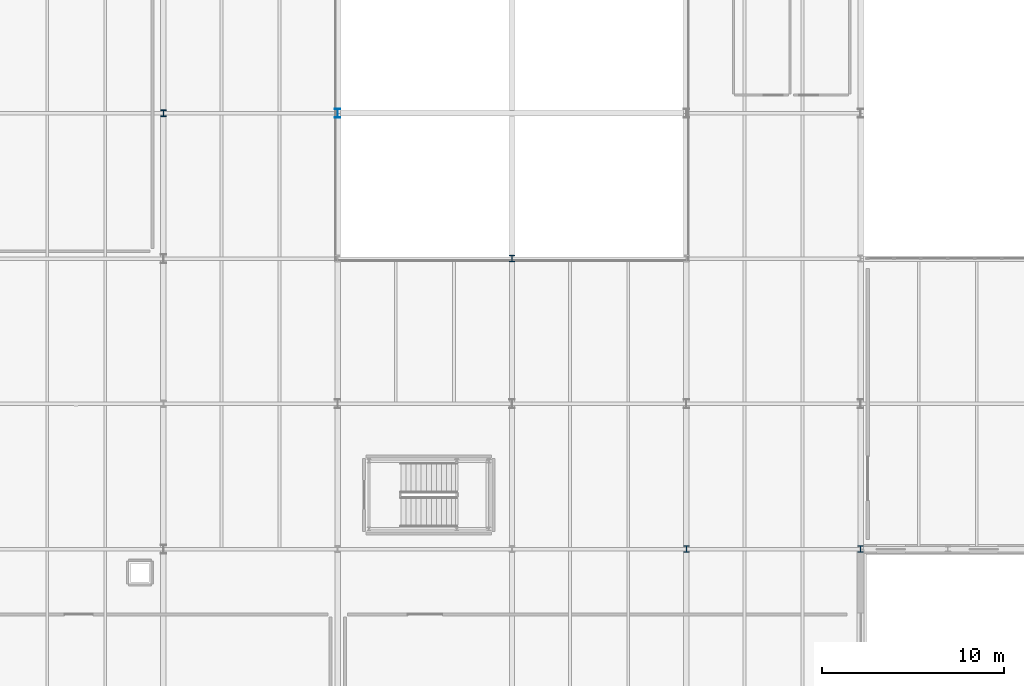
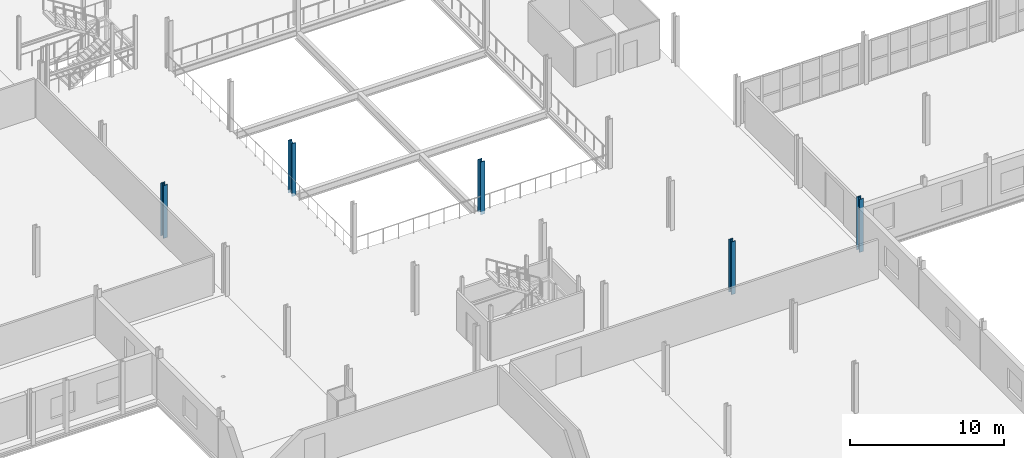
# One storey, part 8 of 78: 5 columns.
"""IFC4 building model written with IfcOpenShell, lengths in metres."""

from ifc_helpers import new_model, si_unit, direction, frame, origin, origin_2d, place, context, subcontext, project, spatial, i_section, extrude, material, material_profile, profile_set, type_object, element, save


model = new_model("IFC4")

# Units and contexts
model_context = context("Model", 3, precision=1e-05, world=origin(), true_north=direction((0.0, 1.0)))
body_context = subcontext(model_context, "Body", "Model", "MODEL_VIEW")
ifc_project = project(units=[si_unit("LENGTHUNIT", "METRE"), si_unit("AREAUNIT", "SQUARE_METRE"), si_unit("VOLUMEUNIT", "CUBIC_METRE"), si_unit("PLANEANGLEUNIT", "RADIAN"), si_unit("MASSUNIT", "GRAM", prefix="KILO")], contexts=[model_context])

# Site, building, storey
site_placement = place(None, origin())
site = spatial("IfcSite", under=ifc_project, at=site_placement, CompositionType="ELEMENT")
building_placement = place(site_placement, origin())
building = spatial("IfcBuilding", under=site, at=building_placement, Name="Alderhovde Museum", CompositionType="ELEMENT")
storey_placement = place(building_placement, frame((0.0, 0.0, 4.5)))
storey = spatial("IfcBuildingStorey", under=building, at=storey_placement, Name="L01", CompositionType="ELEMENT", Elevation=4.5)

# Columns
ifc_material_1 = material(Name="Steel S355J2", Category="steel")
ifc_material_profile_1 = material_profile(ifc_material_1, i_section(OverallWidth=0.300048828125, OverallDepth=0.5, WebThickness=0.014404296875, FlangeThickness=0.028076171875, FilletRadius=0.027099609375, at=origin_2d()), Name="HEB 500")
ifc_profile_set_1 = profile_set([ifc_material_profile_1], Name="Steel S355J2")
column_type_1 = type_object("IfcColumnType", Name="COL-HEB500", PredefinedType="COLUMN", material=ifc_profile_set_1)
column_placement = place(storey_placement, frame((86.39990234375, 56.0, -0.260009765625), z_axis=(0.0, 0.0, 1.0), x_axis=(1.0, 0.0, 0.0)))
element("IfcColumn", 1, at=column_placement, inside=storey, type_object=column_type_1, Name="L01 Column (86.4, 56.0)", PredefinedType="COLUMN", context=body_context, shape_type="SweptSolid", body=[
    extrude(i_section(OverallWidth=0.300048828125, OverallDepth=0.5, WebThickness=0.014404296875, FlangeThickness=0.028076171875, FilletRadius=0.027099609375, at=origin_2d()), origin(), (0.0, 0.0, 1.0), 4.199951171875),
])
ifc_material_2 = material(Name="Steel S355J2", Category="steel")
ifc_material_profile_2 = material_profile(ifc_material_2, i_section(OverallWidth=0.30908203125, OverallDepth=0.376953125, WebThickness=0.02099609375, FlangeThickness=0.0400390625, FilletRadius=0.027099609375, at=origin_2d()), Name="HEM 340")
ifc_profile_set_2 = profile_set([ifc_material_profile_2], Name="Steel S355J2")
column_type_2 = type_object("IfcColumnType", Name="COL-HEM340", PredefinedType="COLUMN", material=ifc_profile_set_2)
for number, where, z_axis, x_axis, name in (
    (2, (76.800048828125, 56.0, -0.260009765625), (0.0, 0.0, 1.0), (1.0, 0.0, 0.0), "L01 Column (76.8, 56.0)"),
    (3, (96.0, 48.0, -0.260009765625), (0.0, 0.0, 1.0), (1.0, 0.0, 0.0), "L01 Column (96.0, 48.0)"),
    (4, (105.60009765625, 32.0, -0.260009765625), (0.0, 0.0, 1.0), (1.0, 0.0, 0.0), "L01 Column (105.6, 32.0)"),
    (5, (115.199951171875, 32.0, -0.260009765625), (0.0, 0.0, 1.0), (1.0, 0.0, 0.0), "L01 Column (115.2, 32.0)"),
):
    element("IfcColumn", number, at=place(storey_placement, frame(where, z_axis=z_axis, x_axis=x_axis)), inside=storey, type_object=column_type_2, Name=name, PredefinedType="COLUMN", context=body_context, shape_type="SweptSolid", body=[
        extrude(i_section(OverallWidth=0.30908203125, OverallDepth=0.376953125, WebThickness=0.02099609375, FlangeThickness=0.0400390625, FilletRadius=0.027099609375, at=origin_2d()), origin(), (0.0, 0.0, 1.0), 4.199951171875),
    ])

save(model, "model.ifc")
